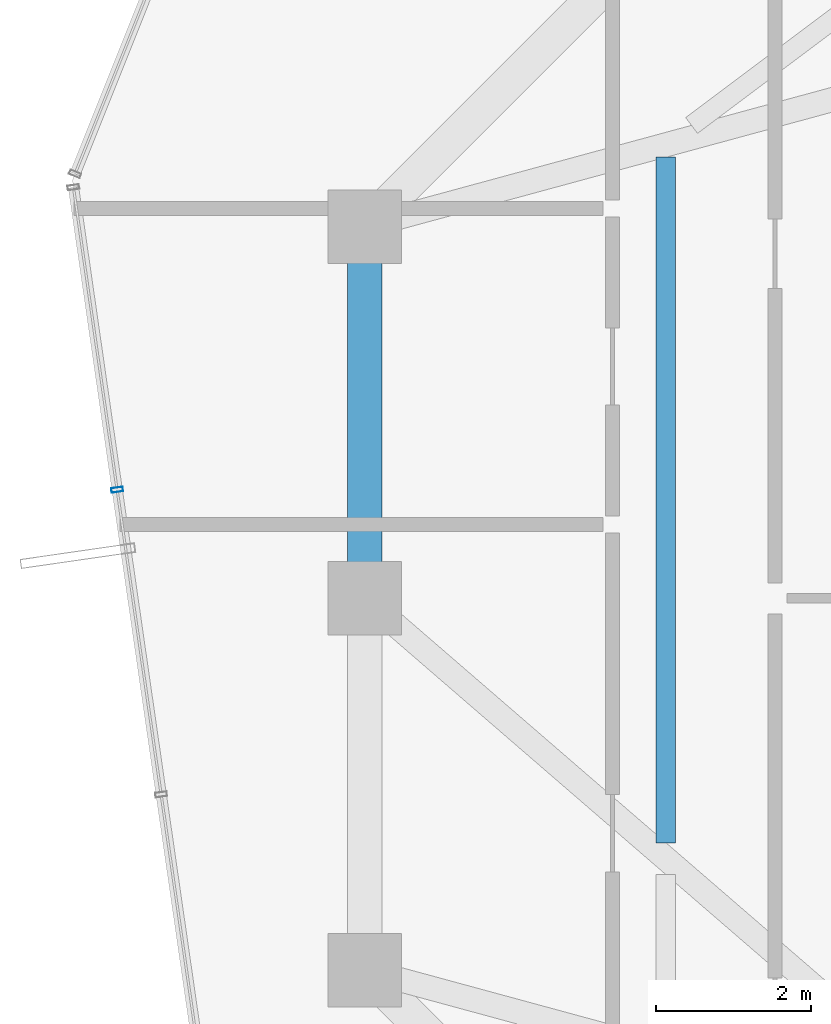
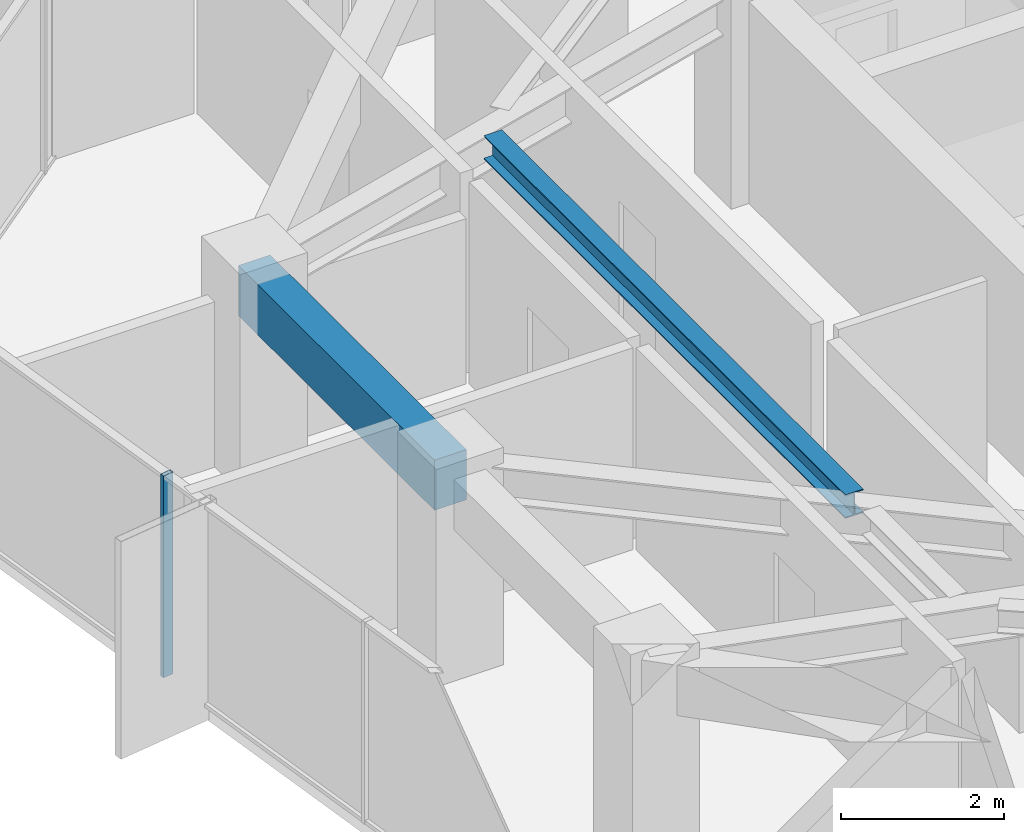
# One storey, part 11 of 31: 2 beams, 1 member, 1 element without a shape of its own.
"""IFC4 building model written with IfcOpenShell, lengths in metres."""

from ifc_helpers import new_model, si_unit, direction, frame, origin, origin_2d, place, context, subcontext, project, spatial, rectangle, hollow_rectangle, i_section, extrude, source, transform, mapped, material, layer, layer_set, material_profile, profile_set, type_object, element, aggregate, save


model = new_model("IFC4")

# Units and contexts
model_context = context("Model", 3, precision=1e-05, world=origin(), true_north=direction((0.0, 1.0)))
body_context = subcontext(model_context, "Body", "Model", "MODEL_VIEW")
ifc_project = project(units=[si_unit("LENGTHUNIT", "METRE"), si_unit("AREAUNIT", "SQUARE_METRE"), si_unit("VOLUMEUNIT", "CUBIC_METRE"), si_unit("PLANEANGLEUNIT", "RADIAN"), si_unit("MASSUNIT", "GRAM", prefix="KILO")], contexts=[model_context])

# Site, building, storey
site_placement = place(None, origin())
site = spatial("IfcSite", under=ifc_project, at=site_placement, CompositionType="ELEMENT")
building_placement = place(site_placement, origin())
building = spatial("IfcBuilding", under=site, at=building_placement, Name="Veraguas Prism Commons", CompositionType="ELEMENT")
storey_placement = place(building_placement, frame((0.0, 0.0, 178.85009765625)))
storey = spatial("IfcBuildingStorey", under=building, at=storey_placement, Name="L50", CompositionType="ELEMENT", Elevation=178.85009765625)

# Beams
ifc_material_1 = material(Name="Concrete C50/60", Category="concrete")
ifc_material_profile_1 = material_profile(ifc_material_1, rectangle(XDim=0.449951171875, YDim=0.75, at=origin_2d()), Name="RC450X750")
ifc_profile_set_1 = profile_set([ifc_material_profile_1], Name="Concrete C50/60")
beam_type_1 = type_object("IfcBeamType", Name="Perimeter Spandrel Upper RC 450x750", PredefinedType="SPANDREL", material=ifc_profile_set_1)
beam_1_placement = place(storey_placement, frame((9.10009765625, 28.800048828125, 2.639892578125), z_axis=(0.0, -1.0, 0.0), x_axis=(1.0, 0.0, 0.0)))
element("IfcBeam", 1, at=beam_1_placement, inside=storey, type_object=beam_type_1, Name="Perimeter Spandrel Beam L50-SP07", PredefinedType="SPANDREL", context=body_context, shape_type="SweptSolid", body=[
    extrude(rectangle(XDim=0.449951171875, YDim=0.75, at=origin_2d()), origin(), (0.0, 0.0, 1.0), 4.800048828125),
])
ifc_material_2 = material(Name="Steel ASTM A992 Grade 50", Category="steel")
ifc_material_profile_2 = material_profile(ifc_material_2, i_section(OverallWidth=0.25390625, OverallDepth=0.35302734375, WebThickness=0.009521484375, FlangeThickness=0.016357421875, at=origin_2d()), Name="W360X91")
ifc_profile_set_2 = profile_set([ifc_material_profile_2], Name="Steel ASTM A992 Grade 50")
beam_type_2 = type_object("IfcBeamType", Name="Upper Floor Joist W360x91", PredefinedType="JOIST", material=ifc_profile_set_2)
beam_2_placement = place(storey_placement, frame((12.988037109375, 29.697021484375, 2.83837890625), z_axis=(0.0, -1.0, 0.0), x_axis=(1.0, 0.0, 0.0)))
element("IfcBeam", 2, at=beam_2_placement, inside=storey, type_object=beam_type_2, Name="Composite Floor Joist L50-JS07", PredefinedType="JOIST", context=body_context, shape_type="SweptSolid", body=[
    extrude(i_section(OverallWidth=0.25390625, OverallDepth=0.35302734375, WebThickness=0.009521484375, FlangeThickness=0.016357421875, at=origin_2d()), origin(), (0.0, 0.0, 1.0), 8.85400390625),
])

# Curtain wall, member
ifc_material_3 = material(Name="Anodised aluminium EN AW-6063 T6", Category="aluminium")
ifc_layer = layer(ifc_material_3, 0.14990234375, Name="Unitised Flush Curtain Wall Zone 3", Category="aluminium")
ifc_layer_set = layer_set([ifc_layer], Name="Anodised aluminium EN AW-6063 T6")
curtain_wall_type = type_object("IfcCurtainWallType", Name="Unitised Flush Curtain Wall Zone 3", PredefinedType="NOTDEFINED", material=ifc_layer_set)
curtain_wall_placement = place(storey_placement, origin())
curtain_wall = element("IfcCurtainWall", 3, at=curtain_wall_placement, inside=storey, type_object=curtain_wall_type, Name="Tower Facade Curtain Wall L50-F3", PredefinedType="NOTDEFINED")
ifc_material_profile_3 = material_profile(ifc_material_3, hollow_rectangle(XDim=0.06005859375, YDim=0.14990234375, WallThickness=0.0029296875, at=origin_2d()), Name="AL60X150X3")
ifc_profile_set_3 = profile_set([ifc_material_profile_3], Name="Anodised aluminium EN AW-6063 T6")
member_type = type_object("IfcMemberType", Name="Curtain Wall Mullion Upper AL 60x150x3", PredefinedType="MULLION", material=ifc_profile_set_3)
shared_shape = source(origin(), body_context, "Body", "SweptSolid", [
    extrude(hollow_rectangle(XDim=0.06005859375, YDim=0.14990234375, WallThickness=0.0029296875, at=origin_2d()), origin(), (0.0, 0.0, 1.0), 3.014892578125),
])
member_placement = place(storey_placement, frame((5.9033203125, 25.402587890625, 0.0), z_axis=(0.0, 0.0, 1.0), x_axis=(0.142972694692, -0.989726633254, 0.0)))
member = element("IfcMember", 4, at=member_placement, type_object=member_type, Name="CW-Z3 Mullion 2", PredefinedType="MULLION", context=body_context, shape_type="MappedRepresentation", body=[
    mapped(shared_shape, transform((0.0, 0.0, 0.0), scale=1.0)),
])
aggregate(curtain_wall, [member])

save(model, "model.ifc")
